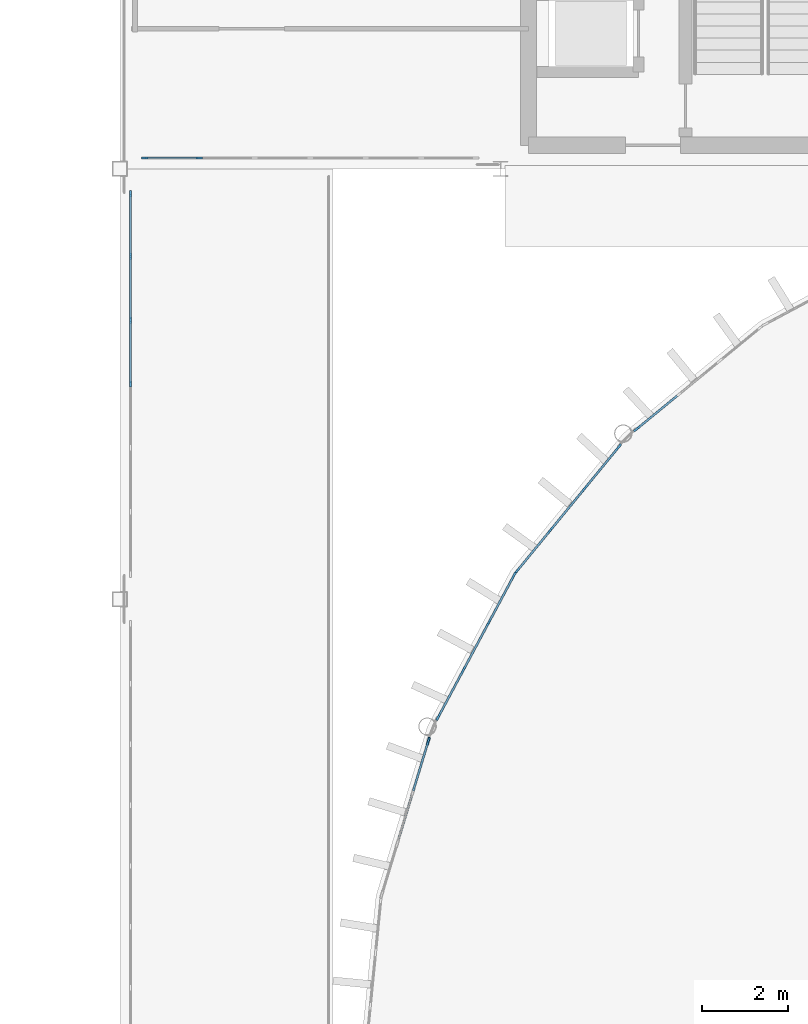
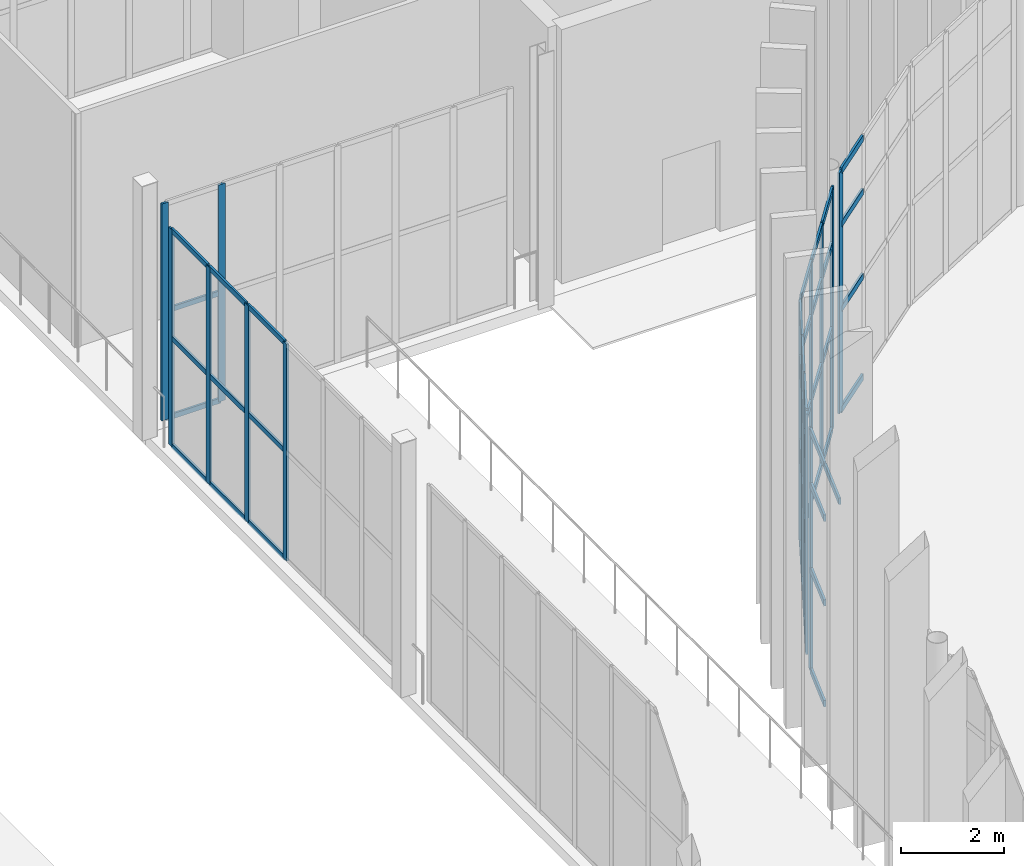
# One storey, part 44 of 139: 60 members, 6 elements without a shape of their own.
"""IFC4 building model written with IfcOpenShell, lengths in metres."""

from ifc_helpers import new_model, si_unit, direction, frame, origin, origin_2d, place, context, subcontext, project, spatial, rectangle, extrude, material, layer, layer_set, material_profile, profile_set, type_object, element, aggregate, save


model = new_model("IFC4")

# Units and contexts
model_context = context("Model", 3, precision=1e-05, world=origin(), true_north=direction((0.0, 1.0)))
body_context = subcontext(model_context, "Body", "Model", "MODEL_VIEW")
ifc_project = project(units=[si_unit("LENGTHUNIT", "METRE"), si_unit("AREAUNIT", "SQUARE_METRE"), si_unit("VOLUMEUNIT", "CUBIC_METRE"), si_unit("PLANEANGLEUNIT", "RADIAN"), si_unit("MASSUNIT", "GRAM", prefix="KILO")], contexts=[model_context])

# Site, building, storey
site_placement = place(None, origin())
site = spatial("IfcSite", under=ifc_project, at=site_placement, CompositionType="ELEMENT")
building_placement = place(site_placement, origin())
building = spatial("IfcBuilding", under=site, at=building_placement, Name="Yeouljin Market Hall", CompositionType="ELEMENT")
storey_placement = place(building_placement, origin())
storey = spatial("IfcBuildingStorey", under=building, at=storey_placement, Name="L00", CompositionType="ELEMENT", Elevation=0.0)

# Curtain wall, members
ifc_material_1 = material(Name="Thermally Broken Aluminium", Category="aluminium")
ifc_layer_1 = layer(ifc_material_1, 0.14990234375)
ifc_layer_set_1 = layer_set([ifc_layer_1], Name="Thermally Broken Aluminium")
curtain_wall_type_1 = type_object("IfcCurtainWallType", Name="CW_WingStorefront_System", PredefinedType="USERDEFINED", material=ifc_layer_set_1)
curtain_wall_1_placement = place(storey_placement, origin())
curtain_wall_1 = element("IfcCurtainWall", 1, at=curtain_wall_1_placement, inside=storey, type_object=curtain_wall_type_1, Name="Curtain wall CW-CRT-L00-04", ObjectType="CURTAIN WALL", PredefinedType="USERDEFINED")
ifc_material_2 = material(Name="Thermally Broken Aluminium", Category="aluminium")
ifc_material_profile_1 = material_profile(ifc_material_2, rectangle(XDim=0.048095703125, YDim=0.14990234375, at=origin_2d()), Name="CW-MULL-48x150")
ifc_profile_set_1 = profile_set([ifc_material_profile_1], Name="Thermally Broken Aluminium")
member_type_1 = type_object("IfcMemberType", Name="CWMullion_48x150", PredefinedType="MULLION", material=ifc_profile_set_1)
member_1_placement = place(storey_placement, frame((10.691650390625, 78.25, 0.0), z_axis=(0.0, 0.0, 1.0), x_axis=(0.0, -1.0, 0.0)))
member_1 = element("IfcMember", 2, at=member_1_placement, type_object=member_type_1, Name="CW-04 mullion 6", PredefinedType="MULLION", context=body_context, shape_type="SweptSolid", body=[
    extrude(rectangle(XDim=0.048095703125, YDim=0.14990234375, at=origin_2d()), origin(), (0.0, 0.0, 1.0), 5.1201171875),
])
member_2_placement = place(storey_placement, frame((9.424072265625, 78.25, 0.0), z_axis=(0.0, 0.0, 1.0), x_axis=(0.0, -1.0, 0.0)))
member_2 = element("IfcMember", 3, at=member_2_placement, type_object=member_type_1, Name="CW-04 mullion 7", PredefinedType="MULLION", context=body_context, shape_type="SweptSolid", body=[
    extrude(rectangle(XDim=0.048095703125, YDim=0.14990234375, at=origin_2d()), origin(), (0.0, 0.0, 1.0), 5.1201171875),
])

curtain_wall_2_placement = place(storey_placement, origin())
curtain_wall_2 = element("IfcCurtainWall", 4, at=curtain_wall_2_placement, inside=storey, type_object=curtain_wall_type_1, Name="Curtain wall CW-CRT-L00-08", ObjectType="CURTAIN WALL", PredefinedType="USERDEFINED")
member_3_placement = place(storey_placement, frame((9.10009765625, 73.0, 0.0), z_axis=(0.0, 0.0, 1.0), x_axis=(-1.0, 0.0, 0.0)))
member_3 = element("IfcMember", 5, at=member_3_placement, type_object=member_type_1, Name="CW-04 mullion 4", PredefinedType="MULLION", context=body_context, shape_type="SweptSolid", body=[
    extrude(rectangle(XDim=0.048095703125, YDim=0.14990234375, at=origin_2d()), origin(), (0.0, 0.0, 1.0), 5.1201171875),
])
member_4_placement = place(storey_placement, frame((9.10009765625, 74.4833984375, 0.0), z_axis=(0.0, 0.0, 1.0), x_axis=(-1.0, 0.0, 0.0)))
member_4 = element("IfcMember", 6, at=member_4_placement, type_object=member_type_1, Name="CW-04 mullion 5", PredefinedType="MULLION", context=body_context, shape_type="SweptSolid", body=[
    extrude(rectangle(XDim=0.048095703125, YDim=0.14990234375, at=origin_2d()), origin(), (0.0, 0.0, 1.0), 5.1201171875),
])
member_5_placement = place(storey_placement, frame((9.10009765625, 75.966552734375, 0.0), z_axis=(0.0, 0.0, 1.0), x_axis=(-1.0, 0.0, 0.0)))
member_5 = element("IfcMember", 7, at=member_5_placement, type_object=member_type_1, Name="CW-04 mullion 6", PredefinedType="MULLION", context=body_context, shape_type="SweptSolid", body=[
    extrude(rectangle(XDim=0.048095703125, YDim=0.14990234375, at=origin_2d()), origin(), (0.0, 0.0, 1.0), 5.1201171875),
])
member_6_placement = place(storey_placement, frame((9.10009765625, 77.426025390625, 0.0), z_axis=(0.0, 0.0, 1.0), x_axis=(-1.0, 0.0, 0.0)))
member_6 = element("IfcMember", 8, at=member_6_placement, type_object=member_type_1, Name="CW-04 mullion 7", PredefinedType="MULLION", context=body_context, shape_type="SweptSolid", body=[
    extrude(rectangle(XDim=0.048095703125, YDim=0.14990234375, at=origin_2d()), origin(), (0.0, 0.0, 1.0), 5.1201171875),
])

# Curtain wall, member
ifc_material_3 = material(Name="Thermally Broken Aluminium", Category="aluminium")
ifc_layer_2 = layer(ifc_material_3, 0.179931640625)
ifc_layer_set_2 = layer_set([ifc_layer_2], Name="Thermally Broken Aluminium")
curtain_wall_type_2 = type_object("IfcCurtainWallType", Name="CW_ApseCurved_System", PredefinedType="USERDEFINED", material=ifc_layer_set_2)
curtain_wall_3_placement = place(storey_placement, origin())
curtain_wall_3 = element("IfcCurtainWall", 9, at=curtain_wall_3_placement, inside=storey, type_object=curtain_wall_type_2, Name="Curtain wall CW-AP-WL00-10", ObjectType="CURTAIN WALL", PredefinedType="USERDEFINED")
ifc_material_4 = material(Name="Thermally Broken Aluminium", Category="aluminium")
ifc_material_profile_2 = material_profile(ifc_material_4, rectangle(XDim=0.048095703125, YDim=0.179931640625, at=origin_2d()), Name="CW-MULL-48x180")
ifc_profile_set_2 = profile_set([ifc_material_profile_2], Name="Thermally Broken Aluminium")
member_type_2 = type_object("IfcMemberType", Name="CWMullion_48x180", PredefinedType="MULLION", material=ifc_profile_set_2)
member_7_placement = place(storey_placement, frame((16.021240234375, 64.699462890625, 0.0), z_axis=(0.0, 0.0, 1.0), x_axis=(-0.95693988447, 0.290286164863, 0.0)))
member_7 = element("IfcMember", 10, at=member_7_placement, type_object=member_type_2, Name="CW-03 mullion 4", PredefinedType="MULLION", context=body_context, shape_type="SweptSolid", body=[
    extrude(rectangle(XDim=0.048095703125, YDim=0.179931640625, at=origin_2d()), origin(), (0.0, 0.0, 1.0), 5.679931640625),
])

# Curtain wall, members
curtain_wall_4_placement = place(storey_placement, origin())
curtain_wall_4 = element("IfcCurtainWall", 11, at=curtain_wall_4_placement, inside=storey, type_object=curtain_wall_type_2, Name="Curtain wall CW-AP-WL00-11", ObjectType="CURTAIN WALL", PredefinedType="USERDEFINED")
member_8_placement = place(storey_placement, frame((16.252685546875, 65.258544921875, 0.0), z_axis=(0.0, 0.0, 1.0), x_axis=(-0.881931478712, 0.471377626598, 0.0)))
member_8 = element("IfcMember", 12, at=member_8_placement, type_object=member_type_2, Name="CW-03 mullion 1", PredefinedType="MULLION", context=body_context, shape_type="SweptSolid", body=[
    extrude(rectangle(XDim=0.048095703125, YDim=0.179931640625, at=origin_2d()), origin(), (0.0, 0.0, 1.0), 5.679931640625),
])
member_9_placement = place(storey_placement, frame((16.834228515625, 66.346435546875, 0.0), z_axis=(0.0, 0.0, 1.0), x_axis=(-0.881931478712, 0.471377626598, 0.0)))
member_9 = element("IfcMember", 13, at=member_9_placement, type_object=member_type_2, Name="CW-03 mullion 2", PredefinedType="MULLION", context=body_context, shape_type="SweptSolid", body=[
    extrude(rectangle(XDim=0.048095703125, YDim=0.179931640625, at=origin_2d()), origin(), (0.0, 0.0, 1.0), 5.679931640625),
])
member_10_placement = place(storey_placement, frame((17.42724609375, 67.455810546875, 0.0), z_axis=(0.0, 0.0, 1.0), x_axis=(-0.881931478712, 0.471377626598, 0.0)))
member_10 = element("IfcMember", 14, at=member_10_placement, type_object=member_type_2, Name="CW-03 mullion 3", PredefinedType="MULLION", context=body_context, shape_type="SweptSolid", body=[
    extrude(rectangle(XDim=0.048095703125, YDim=0.179931640625, at=origin_2d()), origin(), (0.0, 0.0, 1.0), 5.679931640625),
])
member_11_placement = place(storey_placement, frame((18.0087890625, 68.5439453125, 0.0), z_axis=(0.0, 0.0, 1.0), x_axis=(-0.881931478712, 0.471377626598, 0.0)))
member_11 = element("IfcMember", 15, at=member_11_placement, type_object=member_type_2, Name="CW-03 mullion 4", PredefinedType="MULLION", context=body_context, shape_type="SweptSolid", body=[
    extrude(rectangle(XDim=0.048095703125, YDim=0.179931640625, at=origin_2d()), origin(), (0.0, 0.0, 1.0), 5.679931640625),
])

curtain_wall_5_placement = place(storey_placement, origin())
curtain_wall_5 = element("IfcCurtainWall", 16, at=curtain_wall_5_placement, inside=storey, type_object=curtain_wall_type_2, Name="Curtain wall CW-AP-WL00-12", ObjectType="CURTAIN WALL", PredefinedType="USERDEFINED")
member_12_placement = place(storey_placement, frame((18.07958984375, 68.649658203125, 0.0), z_axis=(0.0, 0.0, 1.0), x_axis=(-0.773017717982, 0.634384432096, 0.0)))
member_12 = element("IfcMember", 17, at=member_12_placement, type_object=member_type_2, Name="CW-03 mullion 1", PredefinedType="MULLION", context=body_context, shape_type="SweptSolid", body=[
    extrude(rectangle(XDim=0.048095703125, YDim=0.179931640625, at=origin_2d()), origin(), (0.0, 0.0, 1.0), 5.679931640625),
])
member_13_placement = place(storey_placement, frame((18.8623046875, 69.603515625, 0.0), z_axis=(0.0, 0.0, 1.0), x_axis=(-0.773017717982, 0.634384432096, 0.0)))
member_13 = element("IfcMember", 18, at=member_13_placement, type_object=member_type_2, Name="CW-03 mullion 2", PredefinedType="MULLION", context=body_context, shape_type="SweptSolid", body=[
    extrude(rectangle(XDim=0.048095703125, YDim=0.179931640625, at=origin_2d()), origin(), (0.0, 0.0, 1.0), 5.679931640625),
])
member_14_placement = place(storey_placement, frame((19.66015625, 70.57568359375, 0.0), z_axis=(0.0, 0.0, 1.0), x_axis=(-0.773017717982, 0.634384432096, 0.0)))
member_14 = element("IfcMember", 19, at=member_14_placement, type_object=member_type_2, Name="CW-03 mullion 3", PredefinedType="MULLION", context=body_context, shape_type="SweptSolid", body=[
    extrude(rectangle(XDim=0.048095703125, YDim=0.179931640625, at=origin_2d()), origin(), (0.0, 0.0, 1.0), 5.679931640625),
])
member_15_placement = place(storey_placement, frame((20.44287109375, 71.529541015625, 0.0), z_axis=(0.0, 0.0, 1.0), x_axis=(-0.773017717982, 0.634384432096, 0.0)))
member_15 = element("IfcMember", 20, at=member_15_placement, type_object=member_type_2, Name="CW-03 mullion 4", PredefinedType="MULLION", context=body_context, shape_type="SweptSolid", body=[
    extrude(rectangle(XDim=0.048095703125, YDim=0.179931640625, at=origin_2d()), origin(), (0.0, 0.0, 1.0), 5.679931640625),
])

# Curtain wall, member
curtain_wall_6_placement = place(storey_placement, origin())
curtain_wall_6 = element("IfcCurtainWall", 21, at=curtain_wall_6_placement, inside=storey, type_object=curtain_wall_type_2, Name="Curtain wall CW-AP-WL00-13", ObjectType="CURTAIN WALL", PredefinedType="USERDEFINED")
member_16_placement = place(storey_placement, frame((20.87060546875, 71.957275390625, 0.0), z_axis=(0.0, 0.0, 1.0), x_axis=(-0.634384432096, 0.773017717982, 0.0)))
member_16 = element("IfcMember", 22, at=member_16_placement, type_object=member_type_2, Name="CW-03 mullion 1", PredefinedType="MULLION", context=body_context, shape_type="SweptSolid", body=[
    extrude(rectangle(XDim=0.048095703125, YDim=0.179931640625, at=origin_2d()), origin(), (0.0, 0.0, 1.0), 5.679931640625),
])

# Member
ifc_material_5 = material(Name="Thermally Broken Aluminium", Category="aluminium")
ifc_material_profile_3 = material_profile(ifc_material_5, rectangle(XDim=0.048095703125, YDim=0.1201171875, at=origin_2d()), Name="CW-TRAN-48x120")
ifc_profile_set_3 = profile_set([ifc_material_profile_3], Name="Thermally Broken Aluminium")
member_type_3 = type_object("IfcMemberType", Name="CWTransom_48x120", PredefinedType="USERDEFINED", material=ifc_profile_set_3)
member_17_placement = place(storey_placement, frame((10.667724609375, 78.25, 0.02392578125), z_axis=(-1.0, 0.0, 0.0), x_axis=(0.0, -1.0, 0.0)))
member_17 = element("IfcMember", 23, at=member_17_placement, type_object=member_type_3, Name="CW-04 transom 6.1", ObjectType="TRANSOM", PredefinedType="USERDEFINED", context=body_context, shape_type="SweptSolid", body=[
    extrude(rectangle(XDim=0.048095703125, YDim=0.1201171875, at=origin_2d()), origin(), (0.0, 0.0, 1.0), 1.2197265625),
])

member_18_placement = place(storey_placement, frame((10.667724609375, 78.25, 2.56005859375), z_axis=(-1.0, 0.0, 0.0), x_axis=(0.0, -1.0, 0.0)))
member_18 = element("IfcMember", 24, at=member_18_placement, type_object=member_type_3, Name="CW-04 transom 6.2", ObjectType="TRANSOM", PredefinedType="USERDEFINED", context=body_context, shape_type="SweptSolid", body=[
    extrude(rectangle(XDim=0.048095703125, YDim=0.1201171875, at=origin_2d()), origin(), (0.0, 0.0, 1.0), 1.2197265625),
])

aggregate(curtain_wall_1, [member_1, member_2, member_17, member_18])

member_19_placement = place(storey_placement, frame((9.10009765625, 73.02392578125, 0.02392578125), z_axis=(0.0, 1.0, 0.0), x_axis=(-1.0, 0.0, 0.0)))
member_19 = element("IfcMember", 25, at=member_19_placement, type_object=member_type_3, Name="CW-04 transom 4.1", ObjectType="TRANSOM", PredefinedType="USERDEFINED", context=body_context, shape_type="SweptSolid", body=[
    extrude(rectangle(XDim=0.048095703125, YDim=0.1201171875, at=origin_2d()), origin(), (0.0, 0.0, 1.0), 1.435302734375),
])

member_20_placement = place(storey_placement, frame((9.10009765625, 73.02392578125, 2.56005859375), z_axis=(0.0, 1.0, 0.0), x_axis=(-1.0, 0.0, 0.0)))
member_20 = element("IfcMember", 26, at=member_20_placement, type_object=member_type_3, Name="CW-04 transom 4.2", ObjectType="TRANSOM", PredefinedType="USERDEFINED", context=body_context, shape_type="SweptSolid", body=[
    extrude(rectangle(XDim=0.048095703125, YDim=0.1201171875, at=origin_2d()), origin(), (0.0, 0.0, 1.0), 1.435302734375),
])

member_21_placement = place(storey_placement, frame((9.10009765625, 73.02392578125, 5.095947265625), z_axis=(0.0, 1.0, 0.0), x_axis=(-1.0, 0.0, 0.0)))
member_21 = element("IfcMember", 27, at=member_21_placement, type_object=member_type_3, Name="CW-04 transom 4.3", ObjectType="TRANSOM", PredefinedType="USERDEFINED", context=body_context, shape_type="SweptSolid", body=[
    extrude(rectangle(XDim=0.048095703125, YDim=0.1201171875, at=origin_2d()), origin(), (0.0, 0.0, 1.0), 1.435302734375),
])

member_22_placement = place(storey_placement, frame((9.10009765625, 74.50732421875, 0.02392578125), z_axis=(0.0, 1.0, 0.0), x_axis=(-1.0, 0.0, 0.0)))
member_22 = element("IfcMember", 28, at=member_22_placement, type_object=member_type_3, Name="CW-04 transom 5.1", ObjectType="TRANSOM", PredefinedType="USERDEFINED", context=body_context, shape_type="SweptSolid", body=[
    extrude(rectangle(XDim=0.048095703125, YDim=0.1201171875, at=origin_2d()), origin(), (0.0, 0.0, 1.0), 1.435302734375),
])

member_23_placement = place(storey_placement, frame((9.10009765625, 74.50732421875, 2.56005859375), z_axis=(0.0, 1.0, 0.0), x_axis=(-1.0, 0.0, 0.0)))
member_23 = element("IfcMember", 29, at=member_23_placement, type_object=member_type_3, Name="CW-04 transom 5.2", ObjectType="TRANSOM", PredefinedType="USERDEFINED", context=body_context, shape_type="SweptSolid", body=[
    extrude(rectangle(XDim=0.048095703125, YDim=0.1201171875, at=origin_2d()), origin(), (0.0, 0.0, 1.0), 1.435302734375),
])

member_24_placement = place(storey_placement, frame((9.10009765625, 74.50732421875, 5.095947265625), z_axis=(0.0, 1.0, 0.0), x_axis=(-1.0, 0.0, 0.0)))
member_24 = element("IfcMember", 30, at=member_24_placement, type_object=member_type_3, Name="CW-04 transom 5.3", ObjectType="TRANSOM", PredefinedType="USERDEFINED", context=body_context, shape_type="SweptSolid", body=[
    extrude(rectangle(XDim=0.048095703125, YDim=0.1201171875, at=origin_2d()), origin(), (0.0, 0.0, 1.0), 1.435302734375),
])

member_25_placement = place(storey_placement, frame((9.10009765625, 75.99072265625, 0.02392578125), z_axis=(0.0, 1.0, 0.0), x_axis=(-1.0, 0.0, 0.0)))
member_25 = element("IfcMember", 31, at=member_25_placement, type_object=member_type_3, Name="CW-04 transom 6.1", ObjectType="TRANSOM", PredefinedType="USERDEFINED", context=body_context, shape_type="SweptSolid", body=[
    extrude(rectangle(XDim=0.048095703125, YDim=0.1201171875, at=origin_2d()), origin(), (0.0, 0.0, 1.0), 1.411376953125),
])

member_26_placement = place(storey_placement, frame((9.10009765625, 75.99072265625, 2.56005859375), z_axis=(0.0, 1.0, 0.0), x_axis=(-1.0, 0.0, 0.0)))
member_26 = element("IfcMember", 32, at=member_26_placement, type_object=member_type_3, Name="CW-04 transom 6.2", ObjectType="TRANSOM", PredefinedType="USERDEFINED", context=body_context, shape_type="SweptSolid", body=[
    extrude(rectangle(XDim=0.048095703125, YDim=0.1201171875, at=origin_2d()), origin(), (0.0, 0.0, 1.0), 1.411376953125),
])

member_27_placement = place(storey_placement, frame((9.10009765625, 75.99072265625, 5.095947265625), z_axis=(0.0, 1.0, 0.0), x_axis=(-1.0, 0.0, 0.0)))
member_27 = element("IfcMember", 33, at=member_27_placement, type_object=member_type_3, Name="CW-04 transom 6.3", ObjectType="TRANSOM", PredefinedType="USERDEFINED", context=body_context, shape_type="SweptSolid", body=[
    extrude(rectangle(XDim=0.048095703125, YDim=0.1201171875, at=origin_2d()), origin(), (0.0, 0.0, 1.0), 1.411376953125),
])

aggregate(curtain_wall_2, [member_3, member_4, member_5, member_6, member_19, member_20, member_21, member_22, member_23, member_24, member_25, member_26, member_27])

ifc_material_6 = material(Name="Thermally Broken Aluminium", Category="aluminium")
ifc_material_profile_4 = material_profile(ifc_material_6, rectangle(XDim=0.048095703125, YDim=0.14990234375, at=origin_2d()), Name="CW-TRAN-48x150")
ifc_profile_set_4 = profile_set([ifc_material_profile_4], Name="Thermally Broken Aluminium")
member_type_4 = type_object("IfcMemberType", Name="CWTransom_48x150", PredefinedType="USERDEFINED", material=ifc_profile_set_4)
member_28_placement = place(storey_placement, frame((15.304931640625, 62.33837890625, 5.656005859375), z_axis=(0.290253878276, 0.956949677959, 0.0), x_axis=(-0.956949677959, 0.290253878276, 0.0)))
member_28 = element("IfcMember", 34, at=member_28_placement, type_object=member_type_4, Name="CW-03 transom 2.4", ObjectType="TRANSOM", PredefinedType="USERDEFINED", context=body_context, shape_type="SweptSolid", body=[
    extrude(rectangle(XDim=0.048095703125, YDim=0.14990234375, at=origin_2d()), origin(), (0.0, 0.0, 1.0), 1.20947265625),
])

member_29_placement = place(storey_placement, frame((15.669921875, 63.5419921875, 0.02392578125), z_axis=(0.290350291671, 0.95692042936, 0.0), x_axis=(-0.95692042936, 0.290350291671, 0.0)))
member_29 = element("IfcMember", 35, at=member_29_placement, type_object=member_type_4, Name="CW-03 transom 3.1", ObjectType="TRANSOM", PredefinedType="USERDEFINED", context=body_context, shape_type="SweptSolid", body=[
    extrude(rectangle(XDim=0.048095703125, YDim=0.14990234375, at=origin_2d()), origin(), (0.0, 0.0, 1.0), 1.185546875),
])

member_30_placement = place(storey_placement, frame((15.669921875, 63.5419921875, 2.39990234375), z_axis=(0.290350291671, 0.95692042936, 0.0), x_axis=(-0.95692042936, 0.290350291671, 0.0)))
member_30 = element("IfcMember", 36, at=member_30_placement, type_object=member_type_4, Name="CW-03 transom 3.2", ObjectType="TRANSOM", PredefinedType="USERDEFINED", context=body_context, shape_type="SweptSolid", body=[
    extrude(rectangle(XDim=0.048095703125, YDim=0.14990234375, at=origin_2d()), origin(), (0.0, 0.0, 1.0), 1.185546875),
])

member_31_placement = place(storey_placement, frame((15.669921875, 63.5419921875, 4.39990234375), z_axis=(0.290350291671, 0.95692042936, 0.0), x_axis=(-0.95692042936, 0.290350291671, 0.0)))
member_31 = element("IfcMember", 37, at=member_31_placement, type_object=member_type_4, Name="CW-03 transom 3.3", ObjectType="TRANSOM", PredefinedType="USERDEFINED", context=body_context, shape_type="SweptSolid", body=[
    extrude(rectangle(XDim=0.048095703125, YDim=0.14990234375, at=origin_2d()), origin(), (0.0, 0.0, 1.0), 1.185546875),
])

member_32_placement = place(storey_placement, frame((15.669921875, 63.5419921875, 5.656005859375), z_axis=(0.290350291671, 0.95692042936, 0.0), x_axis=(-0.95692042936, 0.290350291671, 0.0)))
member_32 = element("IfcMember", 38, at=member_32_placement, type_object=member_type_4, Name="CW-03 transom 3.4", ObjectType="TRANSOM", PredefinedType="USERDEFINED", context=body_context, shape_type="SweptSolid", body=[
    extrude(rectangle(XDim=0.048095703125, YDim=0.14990234375, at=origin_2d()), origin(), (0.0, 0.0, 1.0), 1.185546875),
])

aggregate(curtain_wall_3, [member_7, member_28, member_29, member_30, member_31, member_32])

member_33_placement = place(storey_placement, frame((16.263916015625, 65.279541015625, 0.02392578125), z_axis=(0.471421441442, 0.881908059011, 0.0), x_axis=(-0.881908059011, 0.471421441442, 0.0)))
member_33 = element("IfcMember", 39, at=member_33_placement, type_object=member_type_4, Name="CW-03 transom 1.1", ObjectType="TRANSOM", PredefinedType="USERDEFINED", context=body_context, shape_type="SweptSolid", body=[
    extrude(rectangle(XDim=0.048095703125, YDim=0.14990234375, at=origin_2d()), origin(), (0.0, 0.0, 1.0), 1.18603515625),
])

member_34_placement = place(storey_placement, frame((16.263916015625, 65.279541015625, 2.39990234375), z_axis=(0.471421441442, 0.881908059011, 0.0), x_axis=(-0.881908059011, 0.471421441442, 0.0)))
member_34 = element("IfcMember", 40, at=member_34_placement, type_object=member_type_4, Name="CW-03 transom 1.2", ObjectType="TRANSOM", PredefinedType="USERDEFINED", context=body_context, shape_type="SweptSolid", body=[
    extrude(rectangle(XDim=0.048095703125, YDim=0.14990234375, at=origin_2d()), origin(), (0.0, 0.0, 1.0), 1.18603515625),
])

member_35_placement = place(storey_placement, frame((16.263916015625, 65.279541015625, 4.39990234375), z_axis=(0.471421441442, 0.881908059011, 0.0), x_axis=(-0.881908059011, 0.471421441442, 0.0)))
member_35 = element("IfcMember", 41, at=member_35_placement, type_object=member_type_4, Name="CW-03 transom 1.3", ObjectType="TRANSOM", PredefinedType="USERDEFINED", context=body_context, shape_type="SweptSolid", body=[
    extrude(rectangle(XDim=0.048095703125, YDim=0.14990234375, at=origin_2d()), origin(), (0.0, 0.0, 1.0), 1.18603515625),
])

member_36_placement = place(storey_placement, frame((16.263916015625, 65.279541015625, 5.656005859375), z_axis=(0.471421441442, 0.881908059011, 0.0), x_axis=(-0.881908059011, 0.471421441442, 0.0)))
member_36 = element("IfcMember", 42, at=member_36_placement, type_object=member_type_4, Name="CW-03 transom 1.4", ObjectType="TRANSOM", PredefinedType="USERDEFINED", context=body_context, shape_type="SweptSolid", body=[
    extrude(rectangle(XDim=0.048095703125, YDim=0.14990234375, at=origin_2d()), origin(), (0.0, 0.0, 1.0), 1.18603515625),
])

member_37_placement = place(storey_placement, frame((16.845458984375, 66.36767578125, 0.02392578125), z_axis=(0.471425984611, 0.881905630458, 0.0), x_axis=(-0.881905630458, 0.471425984611, 0.0)))
member_37 = element("IfcMember", 43, at=member_37_placement, type_object=member_type_4, Name="CW-03 transom 2.1", ObjectType="TRANSOM", PredefinedType="USERDEFINED", context=body_context, shape_type="SweptSolid", body=[
    extrude(rectangle(XDim=0.048095703125, YDim=0.14990234375, at=origin_2d()), origin(), (0.0, 0.0, 1.0), 1.209716796875),
])

member_38_placement = place(storey_placement, frame((16.845458984375, 66.36767578125, 2.39990234375), z_axis=(0.471425984611, 0.881905630458, 0.0), x_axis=(-0.881905630458, 0.471425984611, 0.0)))
member_38 = element("IfcMember", 44, at=member_38_placement, type_object=member_type_4, Name="CW-03 transom 2.2", ObjectType="TRANSOM", PredefinedType="USERDEFINED", context=body_context, shape_type="SweptSolid", body=[
    extrude(rectangle(XDim=0.048095703125, YDim=0.14990234375, at=origin_2d()), origin(), (0.0, 0.0, 1.0), 1.209716796875),
])

member_39_placement = place(storey_placement, frame((16.845458984375, 66.36767578125, 4.39990234375), z_axis=(0.471425984611, 0.881905630458, 0.0), x_axis=(-0.881905630458, 0.471425984611, 0.0)))
member_39 = element("IfcMember", 45, at=member_39_placement, type_object=member_type_4, Name="CW-03 transom 2.3", ObjectType="TRANSOM", PredefinedType="USERDEFINED", context=body_context, shape_type="SweptSolid", body=[
    extrude(rectangle(XDim=0.048095703125, YDim=0.14990234375, at=origin_2d()), origin(), (0.0, 0.0, 1.0), 1.209716796875),
])

member_40_placement = place(storey_placement, frame((16.845458984375, 66.36767578125, 5.656005859375), z_axis=(0.471425984611, 0.881905630458, 0.0), x_axis=(-0.881905630458, 0.471425984611, 0.0)))
member_40 = element("IfcMember", 46, at=member_40_placement, type_object=member_type_4, Name="CW-03 transom 2.4", ObjectType="TRANSOM", PredefinedType="USERDEFINED", context=body_context, shape_type="SweptSolid", body=[
    extrude(rectangle(XDim=0.048095703125, YDim=0.14990234375, at=origin_2d()), origin(), (0.0, 0.0, 1.0), 1.209716796875),
])

member_41_placement = place(storey_placement, frame((17.4384765625, 67.47705078125, 0.02392578125), z_axis=(0.471346894989, 0.881947903555, 0.0), x_axis=(-0.881947903555, 0.471346894989, 0.0)))
member_41 = element("IfcMember", 47, at=member_41_placement, type_object=member_type_4, Name="CW-03 transom 3.1", ObjectType="TRANSOM", PredefinedType="USERDEFINED", context=body_context, shape_type="SweptSolid", body=[
    extrude(rectangle(XDim=0.048095703125, YDim=0.14990234375, at=origin_2d()), origin(), (0.0, 0.0, 1.0), 1.185546875),
])

member_42_placement = place(storey_placement, frame((17.4384765625, 67.47705078125, 2.39990234375), z_axis=(0.471346894989, 0.881947903555, 0.0), x_axis=(-0.881947903555, 0.471346894989, 0.0)))
member_42 = element("IfcMember", 48, at=member_42_placement, type_object=member_type_4, Name="CW-03 transom 3.2", ObjectType="TRANSOM", PredefinedType="USERDEFINED", context=body_context, shape_type="SweptSolid", body=[
    extrude(rectangle(XDim=0.048095703125, YDim=0.14990234375, at=origin_2d()), origin(), (0.0, 0.0, 1.0), 1.185546875),
])

member_43_placement = place(storey_placement, frame((17.4384765625, 67.47705078125, 4.39990234375), z_axis=(0.471346894989, 0.881947903555, 0.0), x_axis=(-0.881947903555, 0.471346894989, 0.0)))
member_43 = element("IfcMember", 49, at=member_43_placement, type_object=member_type_4, Name="CW-03 transom 3.3", ObjectType="TRANSOM", PredefinedType="USERDEFINED", context=body_context, shape_type="SweptSolid", body=[
    extrude(rectangle(XDim=0.048095703125, YDim=0.14990234375, at=origin_2d()), origin(), (0.0, 0.0, 1.0), 1.185546875),
])

member_44_placement = place(storey_placement, frame((17.4384765625, 67.47705078125, 5.656005859375), z_axis=(0.471346894989, 0.881947903555, 0.0), x_axis=(-0.881947903555, 0.471346894989, 0.0)))
member_44 = element("IfcMember", 50, at=member_44_placement, type_object=member_type_4, Name="CW-03 transom 3.4", ObjectType="TRANSOM", PredefinedType="USERDEFINED", context=body_context, shape_type="SweptSolid", body=[
    extrude(rectangle(XDim=0.048095703125, YDim=0.14990234375, at=origin_2d()), origin(), (0.0, 0.0, 1.0), 1.185546875),
])

aggregate(curtain_wall_4, [member_8, member_9, member_10, member_11, member_33, member_34, member_35, member_36, member_37, member_38, member_39, member_40, member_41, member_42, member_43, member_44])

member_45_placement = place(storey_placement, frame((18.0947265625, 68.668212890625, 0.02392578125), z_axis=(0.634313456748, 0.773075959133, 0.0), x_axis=(-0.773075959133, 0.634313456748, 0.0)))
member_45 = element("IfcMember", 51, at=member_45_placement, type_object=member_type_4, Name="CW-03 transom 1.1", ObjectType="TRANSOM", PredefinedType="USERDEFINED", context=body_context, shape_type="SweptSolid", body=[
    extrude(rectangle(XDim=0.048095703125, YDim=0.14990234375, at=origin_2d()), origin(), (0.0, 0.0, 1.0), 1.185791015625),
])

member_46_placement = place(storey_placement, frame((18.0947265625, 68.668212890625, 2.39990234375), z_axis=(0.634313456748, 0.773075959133, 0.0), x_axis=(-0.773075959133, 0.634313456748, 0.0)))
member_46 = element("IfcMember", 52, at=member_46_placement, type_object=member_type_4, Name="CW-03 transom 1.2", ObjectType="TRANSOM", PredefinedType="USERDEFINED", context=body_context, shape_type="SweptSolid", body=[
    extrude(rectangle(XDim=0.048095703125, YDim=0.14990234375, at=origin_2d()), origin(), (0.0, 0.0, 1.0), 1.185791015625),
])

member_47_placement = place(storey_placement, frame((18.0947265625, 68.668212890625, 4.39990234375), z_axis=(0.634313456748, 0.773075959133, 0.0), x_axis=(-0.773075959133, 0.634313456748, 0.0)))
member_47 = element("IfcMember", 53, at=member_47_placement, type_object=member_type_4, Name="CW-03 transom 1.3", ObjectType="TRANSOM", PredefinedType="USERDEFINED", context=body_context, shape_type="SweptSolid", body=[
    extrude(rectangle(XDim=0.048095703125, YDim=0.14990234375, at=origin_2d()), origin(), (0.0, 0.0, 1.0), 1.185791015625),
])

member_48_placement = place(storey_placement, frame((18.0947265625, 68.668212890625, 5.656005859375), z_axis=(0.634313456748, 0.773075959133, 0.0), x_axis=(-0.773075959133, 0.634313456748, 0.0)))
member_48 = element("IfcMember", 54, at=member_48_placement, type_object=member_type_4, Name="CW-03 transom 1.4", ObjectType="TRANSOM", PredefinedType="USERDEFINED", context=body_context, shape_type="SweptSolid", body=[
    extrude(rectangle(XDim=0.048095703125, YDim=0.14990234375, at=origin_2d()), origin(), (0.0, 0.0, 1.0), 1.185791015625),
])

member_49_placement = place(storey_placement, frame((18.87744140625, 69.6220703125, 0.02392578125), z_axis=(0.634369190557, 0.773030225846, 0.0), x_axis=(-0.773030225846, 0.634369190557, 0.0)))
member_49 = element("IfcMember", 55, at=member_49_placement, type_object=member_type_4, Name="CW-03 transom 2.1", ObjectType="TRANSOM", PredefinedType="USERDEFINED", context=body_context, shape_type="SweptSolid", body=[
    extrude(rectangle(XDim=0.048095703125, YDim=0.14990234375, at=origin_2d()), origin(), (0.0, 0.0, 1.0), 1.209716796875),
])

member_50_placement = place(storey_placement, frame((18.87744140625, 69.6220703125, 2.39990234375), z_axis=(0.634369190557, 0.773030225846, 0.0), x_axis=(-0.773030225846, 0.634369190557, 0.0)))
member_50 = element("IfcMember", 56, at=member_50_placement, type_object=member_type_4, Name="CW-03 transom 2.2", ObjectType="TRANSOM", PredefinedType="USERDEFINED", context=body_context, shape_type="SweptSolid", body=[
    extrude(rectangle(XDim=0.048095703125, YDim=0.14990234375, at=origin_2d()), origin(), (0.0, 0.0, 1.0), 1.209716796875),
])

member_51_placement = place(storey_placement, frame((18.87744140625, 69.6220703125, 4.39990234375), z_axis=(0.634369190557, 0.773030225846, 0.0), x_axis=(-0.773030225846, 0.634369190557, 0.0)))
member_51 = element("IfcMember", 57, at=member_51_placement, type_object=member_type_4, Name="CW-03 transom 2.3", ObjectType="TRANSOM", PredefinedType="USERDEFINED", context=body_context, shape_type="SweptSolid", body=[
    extrude(rectangle(XDim=0.048095703125, YDim=0.14990234375, at=origin_2d()), origin(), (0.0, 0.0, 1.0), 1.209716796875),
])

member_52_placement = place(storey_placement, frame((18.87744140625, 69.6220703125, 5.656005859375), z_axis=(0.634369190557, 0.773030225846, 0.0), x_axis=(-0.773030225846, 0.634369190557, 0.0)))
member_52 = element("IfcMember", 58, at=member_52_placement, type_object=member_type_4, Name="CW-03 transom 2.4", ObjectType="TRANSOM", PredefinedType="USERDEFINED", context=body_context, shape_type="SweptSolid", body=[
    extrude(rectangle(XDim=0.048095703125, YDim=0.14990234375, at=origin_2d()), origin(), (0.0, 0.0, 1.0), 1.209716796875),
])

member_53_placement = place(storey_placement, frame((19.67529296875, 70.59423828125, 0.02392578125), z_axis=(0.634313456748, 0.773075959133, 0.0), x_axis=(-0.773075959133, 0.634313456748, 0.0)))
member_53 = element("IfcMember", 59, at=member_53_placement, type_object=member_type_4, Name="CW-03 transom 3.1", ObjectType="TRANSOM", PredefinedType="USERDEFINED", context=body_context, shape_type="SweptSolid", body=[
    extrude(rectangle(XDim=0.048095703125, YDim=0.14990234375, at=origin_2d()), origin(), (0.0, 0.0, 1.0), 1.185791015625),
])

member_54_placement = place(storey_placement, frame((19.67529296875, 70.59423828125, 2.39990234375), z_axis=(0.634313456748, 0.773075959133, 0.0), x_axis=(-0.773075959133, 0.634313456748, 0.0)))
member_54 = element("IfcMember", 60, at=member_54_placement, type_object=member_type_4, Name="CW-03 transom 3.2", ObjectType="TRANSOM", PredefinedType="USERDEFINED", context=body_context, shape_type="SweptSolid", body=[
    extrude(rectangle(XDim=0.048095703125, YDim=0.14990234375, at=origin_2d()), origin(), (0.0, 0.0, 1.0), 1.185791015625),
])

member_55_placement = place(storey_placement, frame((19.67529296875, 70.59423828125, 4.39990234375), z_axis=(0.634313456748, 0.773075959133, 0.0), x_axis=(-0.773075959133, 0.634313456748, 0.0)))
member_55 = element("IfcMember", 61, at=member_55_placement, type_object=member_type_4, Name="CW-03 transom 3.3", ObjectType="TRANSOM", PredefinedType="USERDEFINED", context=body_context, shape_type="SweptSolid", body=[
    extrude(rectangle(XDim=0.048095703125, YDim=0.14990234375, at=origin_2d()), origin(), (0.0, 0.0, 1.0), 1.185791015625),
])

member_56_placement = place(storey_placement, frame((19.67529296875, 70.59423828125, 5.656005859375), z_axis=(0.634313456748, 0.773075959133, 0.0), x_axis=(-0.773075959133, 0.634313456748, 0.0)))
member_56 = element("IfcMember", 62, at=member_56_placement, type_object=member_type_4, Name="CW-03 transom 3.4", ObjectType="TRANSOM", PredefinedType="USERDEFINED", context=body_context, shape_type="SweptSolid", body=[
    extrude(rectangle(XDim=0.048095703125, YDim=0.14990234375, at=origin_2d()), origin(), (0.0, 0.0, 1.0), 1.185791015625),
])

aggregate(curtain_wall_5, [member_12, member_13, member_14, member_15, member_45, member_46, member_47, member_48, member_49, member_50, member_51, member_52, member_53, member_54, member_55, member_56])

member_57_placement = place(storey_placement, frame((20.88916015625, 71.972412109375, 0.02392578125), z_axis=(0.77299310317, 0.634414424845, 0.0), x_axis=(-0.634414424845, 0.77299310317, 0.0)))
member_57 = element("IfcMember", 63, at=member_57_placement, type_object=member_type_4, Name="CW-03 transom 1.1", ObjectType="TRANSOM", PredefinedType="USERDEFINED", context=body_context, shape_type="SweptSolid", body=[
    extrude(rectangle(XDim=0.048095703125, YDim=0.14990234375, at=origin_2d()), origin(), (0.0, 0.0, 1.0), 1.185546875),
])

member_58_placement = place(storey_placement, frame((20.88916015625, 71.972412109375, 2.39990234375), z_axis=(0.77299310317, 0.634414424845, 0.0), x_axis=(-0.634414424845, 0.77299310317, 0.0)))
member_58 = element("IfcMember", 64, at=member_58_placement, type_object=member_type_4, Name="CW-03 transom 1.2", ObjectType="TRANSOM", PredefinedType="USERDEFINED", context=body_context, shape_type="SweptSolid", body=[
    extrude(rectangle(XDim=0.048095703125, YDim=0.14990234375, at=origin_2d()), origin(), (0.0, 0.0, 1.0), 1.185546875),
])

member_59_placement = place(storey_placement, frame((20.88916015625, 71.972412109375, 4.39990234375), z_axis=(0.77299310317, 0.634414424845, 0.0), x_axis=(-0.634414424845, 0.77299310317, 0.0)))
member_59 = element("IfcMember", 65, at=member_59_placement, type_object=member_type_4, Name="CW-03 transom 1.3", ObjectType="TRANSOM", PredefinedType="USERDEFINED", context=body_context, shape_type="SweptSolid", body=[
    extrude(rectangle(XDim=0.048095703125, YDim=0.14990234375, at=origin_2d()), origin(), (0.0, 0.0, 1.0), 1.185546875),
])

member_60_placement = place(storey_placement, frame((20.88916015625, 71.972412109375, 5.656005859375), z_axis=(0.77299310317, 0.634414424845, 0.0), x_axis=(-0.634414424845, 0.77299310317, 0.0)))
member_60 = element("IfcMember", 66, at=member_60_placement, type_object=member_type_4, Name="CW-03 transom 1.4", ObjectType="TRANSOM", PredefinedType="USERDEFINED", context=body_context, shape_type="SweptSolid", body=[
    extrude(rectangle(XDim=0.048095703125, YDim=0.14990234375, at=origin_2d()), origin(), (0.0, 0.0, 1.0), 1.185546875),
])

aggregate(curtain_wall_6, [member_16, member_57, member_58, member_59, member_60])

save(model, "model.ifc")
